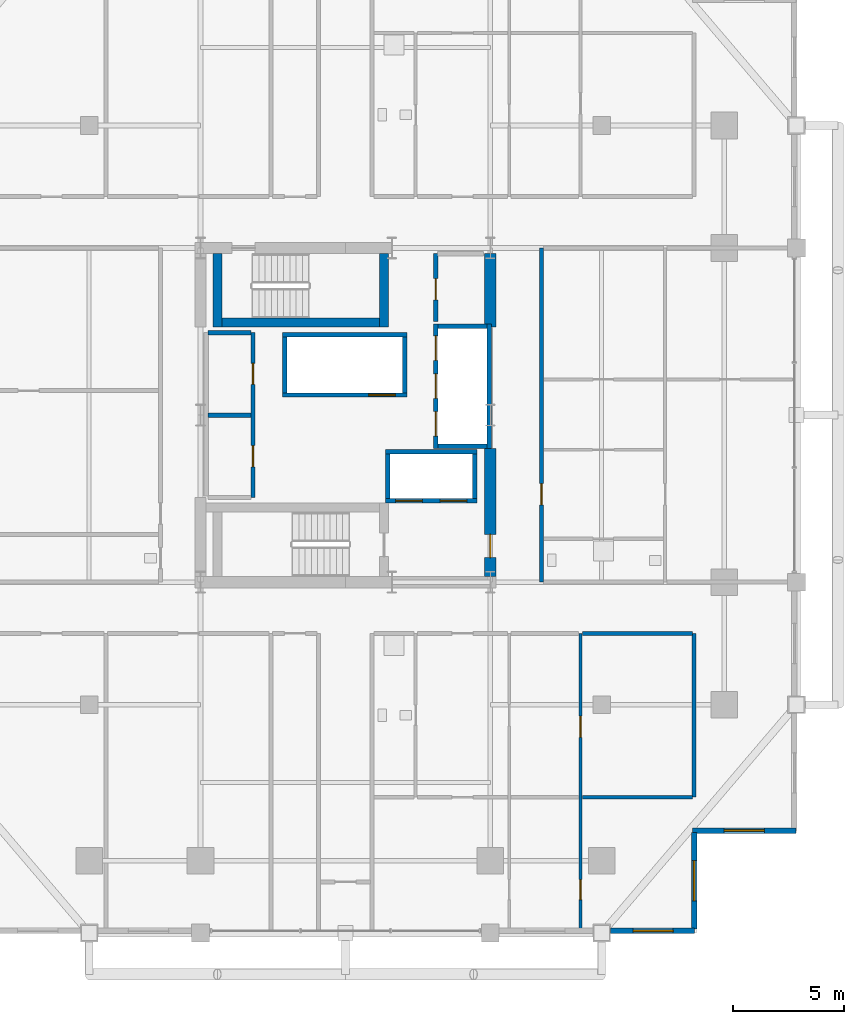
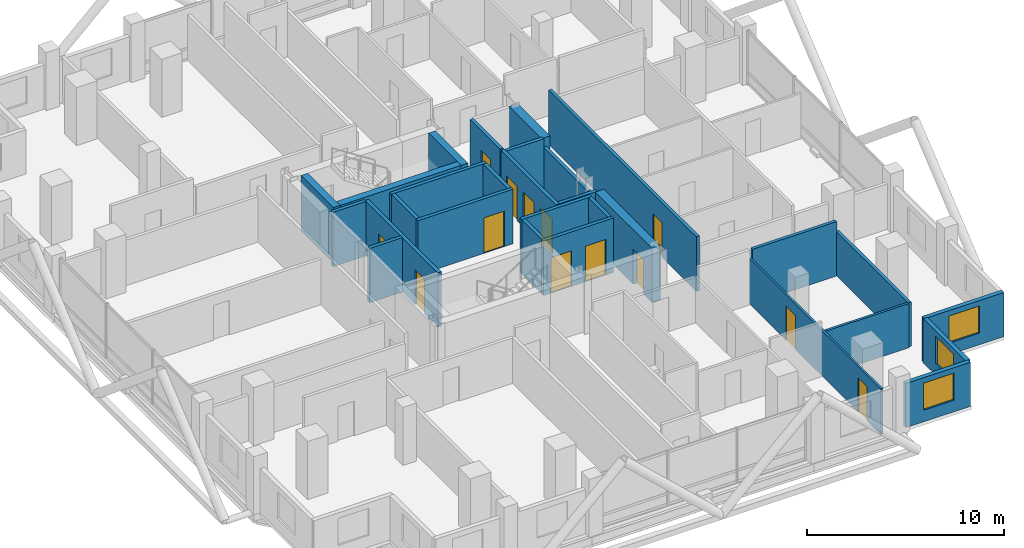
# One storey, part 20 of 24: 29 walls, 13 doors, 3 windows, 16 openings.
"""IFC4 building model written with IfcOpenShell, lengths in metres."""

from ifc_helpers import new_model, si_unit, direction, frame, frame_2d, origin, place, context, subcontext, project, spatial, rectangle, extrude, material, layer, layer_set, type_object, element, fill, save


model = new_model("IFC4")

# Units and contexts
model_context = context("Model", 3, precision=1e-05, world=origin(), true_north=direction((0.0, 1.0)))
body_context = subcontext(model_context, "Body", "Model", "MODEL_VIEW")
ifc_project = project(units=[si_unit("LENGTHUNIT", "METRE"), si_unit("AREAUNIT", "SQUARE_METRE"), si_unit("VOLUMEUNIT", "CUBIC_METRE"), si_unit("PLANEANGLEUNIT", "RADIAN"), si_unit("MASSUNIT", "GRAM", prefix="KILO")], contexts=[model_context])

# Site, building, storey
site_placement = place(None, origin())
site = spatial("IfcSite", under=ifc_project, at=site_placement, CompositionType="ELEMENT")
building_placement = place(site_placement, origin())
building = spatial("IfcBuilding", under=site, at=building_placement, Name="Barlavira Tower and Art Museum", CompositionType="ELEMENT")
storey_placement = place(building_placement, frame((0.0, 0.0, 154.800048828125)))
storey = spatial("IfcBuildingStorey", under=building, at=storey_placement, Name="L39", CompositionType="ELEMENT", Elevation=154.800048828125)

# Wall, openings, doors
ifc_material_1 = material(Name="Gypsum acoustic stud partition", Category="gypsum")
ifc_layer_1 = layer(ifc_material_1, 0.1201171875, Name="Gypsum acoustic stud partition")
ifc_layer_set_1 = layer_set([ifc_layer_1], Name="Gypsum acoustic stud partition")
wall_type_1 = type_object("IfcWallType", Name="Apartment Internal Acoustic Partition 120", PredefinedType="PARTITIONING", material=ifc_layer_set_1)
wall_1_placement = place(storey_placement, frame((10.550048828125, -23.14990234375, 0.0), z_axis=(0.0, 0.0, 1.0), x_axis=(0.0, 1.0, 0.0)))
wall_1 = element("IfcWall", 1, at=wall_1_placement, inside=storey, type_object=wall_type_1, Name="L39 Partition Wall 18", PredefinedType="PARTITIONING", context=body_context, shape_type="SweptSolid", body=[
    extrude(rectangle(XDim=13.349853515625, YDim=0.1201171875, at=frame_2d((6.6748046875, 0.0))), origin(), (0.0, 0.0, 1.0), 2.81591796875),
])
opening_1_placement = place(wall_1_placement, frame((8.686767578125, 0.0, 0.0)))
opening_1 = element("IfcOpeningElement", 2, at=opening_1_placement, cuts=wall_1, Name="Opening D-02", PredefinedType="OPENING", context=body_context, shape_type="SweptSolid", body=[
    extrude(rectangle(XDim=0.949951171875, YDim=2.10009765625, at=frame_2d((0.47509765625, 1.050048828125))), frame((0.0, 0.070068359375, 0.0), z_axis=(0.0, -1.0, 0.0), x_axis=(1.0, 0.0, 0.0)), (0.0, 0.0, 1.0), 0.14013671875),
])
opening_2_placement = place(wall_1_placement, frame((1.39892578125, 0.0, 0.0)))
opening_2 = element("IfcOpeningElement", 3, at=opening_2_placement, cuts=wall_1, Name="Opening D-01", PredefinedType="OPENING", context=body_context, shape_type="SweptSolid", body=[
    extrude(rectangle(XDim=0.89990234375, YDim=2.10009765625, at=frame_2d((0.449951171875, 1.050048828125))), frame((0.0, 0.070068359375, 0.0), z_axis=(0.0, -1.0, 0.0), x_axis=(1.0, 0.0, 0.0)), (0.0, 0.0, 1.0), 0.14013671875),
])
ifc_material_2 = material(Name="Engineered coastal hardwood", Category="wood")
door_type_1 = type_object("IfcDoorType", Name="Internal Bedroom Timber Flush Door 900x2100", OperationType="NOTDEFINED", PredefinedType="DOOR", material=ifc_material_2)
door_1_placement = place(opening_2_placement, origin())
door_1 = element("IfcDoor", 4, at=door_1_placement, inside=storey, type_object=door_type_1, Name="Apartment SE1 Bedroom 2 Door", OperationType="SINGLE_SWING_LEFT", OverallHeight=2.10009765625, OverallWidth=0.89990234375, PredefinedType="DOOR", context=body_context, shape_type="SweptSolid", body=[
    extrude(rectangle(XDim=0.89990234375, YDim=2.10009765625, at=frame_2d((0.449951171875, 1.050048828125))), frame((0.0, 0.02490234375, 0.0), z_axis=(0.0, -1.0, 0.0), x_axis=(1.0, 0.0, 0.0)), (0.0, 0.0, 1.0), 0.050048828125),
])
fill(opening_2, door_1)
door_type_2 = type_object("IfcDoorType", Name="Living and Salon Glazed-Leaf Door 950x2100", OperationType="NOTDEFINED", PredefinedType="DOOR", material=ifc_material_2)
door_2_placement = place(opening_1_placement, origin())
door_2 = element("IfcDoor", 5, at=door_2_placement, inside=storey, type_object=door_type_2, Name="Apartment SE1 Dining Salon Door", OperationType="SINGLE_SWING_RIGHT", OverallHeight=2.10009765625, OverallWidth=0.949951171875, PredefinedType="DOOR", context=body_context, shape_type="SweptSolid", body=[
    extrude(rectangle(XDim=0.949951171875, YDim=2.10009765625, at=frame_2d((0.47509765625, 1.050048828125))), frame((0.0, 0.02490234375, 0.0), z_axis=(0.0, -1.0, 0.0), x_axis=(1.0, 0.0, 0.0)), (0.0, 0.0, 1.0), 0.050048828125),
])
fill(opening_1, door_2)

# Wall, opening, door
ifc_material_3 = material(Name="Concrete C60", Category="concrete")
ifc_layer_2 = layer(ifc_material_3, 0.5, Name="Concrete C60")
ifc_layer_set_2 = layer_set([ifc_layer_2], Name="Concrete C60")
wall_type_2 = type_object("IfcWallType", Name="Core Structural Shear Wall 500 Concrete C60", PredefinedType="SHEAR", material=ifc_layer_set_2)
wall_2_placement = place(storey_placement, frame((6.5, -7.25, 0.0), z_axis=(0.0, 0.0, 1.0), x_axis=(0.0, 1.0, 0.0)))
wall_2 = element("IfcWall", 6, at=wall_2_placement, inside=storey, type_object=wall_type_2, Name="L39 Core Shear Wall CS-E1", PredefinedType="SHEAR", context=body_context, shape_type="SweptSolid", body=[
    extrude(rectangle(XDim=5.75, YDim=0.5, at=frame_2d((2.875, 0.0))), origin(), (0.0, 0.0, 1.0), 3.3798828125),
])
opening_3_placement = place(wall_2_placement, frame((0.85009765625, 0.0, 0.0)))
opening_3 = element("IfcOpeningElement", 7, at=opening_3_placement, cuts=wall_2, Name="Opening FD-90", PredefinedType="OPENING", context=body_context, shape_type="SweptSolid", body=[
    extrude(rectangle(XDim=1.050048828125, YDim=2.14990234375, at=frame_2d((0.52490234375, 1.074951171875))), frame((0.0, 0.260009765625, 0.0), z_axis=(0.0, -1.0, 0.0), x_axis=(1.0, 0.0, 0.0)), (0.0, 0.0, 1.0), 0.52001953125),
])
ifc_material_4 = material(Name="Brushed stainless steel", Category="steel")
door_type_3 = type_object("IfcDoorType", Name="Stair and Refuge Fire Door 1050x2150 FD90S", OperationType="NOTDEFINED", PredefinedType="DOOR", material=ifc_material_4)
door_3_placement = place(opening_3_placement, origin())
door_3 = element("IfcDoor", 8, at=door_3_placement, inside=storey, type_object=door_type_3, Name="L39 Firefighting Lobby Entry Fire Door", OperationType="SINGLE_SWING_LEFT", OverallHeight=2.14990234375, OverallWidth=1.050048828125, PredefinedType="DOOR", context=body_context, shape_type="SweptSolid", body=[
    extrude(rectangle(XDim=1.050048828125, YDim=2.14990234375, at=frame_2d((0.52490234375, 1.074951171875))), frame((0.0, 0.02490234375, 0.0), z_axis=(0.0, -1.0, 0.0), x_axis=(1.0, 0.0, 0.0)), (0.0, 0.0, 1.0), 0.050048828125),
])
fill(opening_3, door_3)

# Wall
wall_3_placement = place(storey_placement, frame((6.5, 3.949951171875, 0.0), z_axis=(0.0, 0.0, 1.0), x_axis=(0.0, 1.0, 0.0)))
element("IfcWall", 9, at=wall_3_placement, inside=storey, type_object=wall_type_2, Name="L39 Core Shear Wall CS-E2", PredefinedType="SHEAR", context=body_context, shape_type="SweptSolid", body=[
    extrude(rectangle(XDim=3.300048828125, YDim=0.5, at=frame_2d((1.64990234375, 0.0))), origin(), (0.0, 0.0, 1.0), 3.3798828125),
])

# Wall, openings, doors
ifc_material_5 = material(Name="Autoclaved aerated concrete masonry", Category="masonry")
ifc_layer_3 = layer(ifc_material_5, 0.199951171875, Name="Autoclaved aerated concrete masonry")
ifc_layer_set_3 = layer_set([ifc_layer_3], Name="Autoclaved aerated concrete masonry")
wall_type_3 = type_object("IfcWallType", Name="Fire Compartment and Shaft Wall 200", PredefinedType="SOLIDWALL", material=ifc_layer_set_3)
wall_4_placement = place(storey_placement, frame((4.050048828125, -1.489990234375, 0.0), z_axis=(0.0, 0.0, 1.0), x_axis=(0.0, 1.0, 0.0)))
wall_4 = element("IfcWall", 10, at=wall_4_placement, inside=storey, type_object=wall_type_3, Name="L39 Mid-Rise Lift Front Shaft Wall", PredefinedType="SOLIDWALL", context=body_context, shape_type="SweptSolid", body=[
    extrude(rectangle(XDim=5.580078125, YDim=0.199951171875, at=frame_2d((2.7900390625, 0.0))), origin(), (0.0, 0.0, 1.0), 3.3798828125),
])
opening_4_placement = place(wall_4_placement, frame((0.5400390625, 0.0, 0.0)))
opening_4 = element("IfcOpeningElement", 11, at=opening_4_placement, cuts=wall_4, Name="Opening LD-P", PredefinedType="OPENING", context=body_context, shape_type="SweptSolid", body=[
    extrude(rectangle(XDim=1.10009765625, YDim=2.14990234375, at=frame_2d((0.550048828125, 1.074951171875))), frame((0.0, 0.10986328125, 0.0), z_axis=(0.0, -1.0, 0.0), x_axis=(1.0, 0.0, 0.0)), (0.0, 0.0, 1.0), 0.219970703125),
])
opening_5_placement = place(wall_4_placement, frame((2.239990234375, 0.0, 0.0)))
opening_5 = element("IfcOpeningElement", 12, at=opening_5_placement, cuts=wall_4, Name="Opening LD-P", PredefinedType="OPENING", context=body_context, shape_type="SweptSolid", body=[
    extrude(rectangle(XDim=1.10009765625, YDim=2.14990234375, at=frame_2d((0.550048828125, 1.074951171875))), frame((0.0, 0.10986328125, 0.0), z_axis=(0.0, -1.0, 0.0), x_axis=(1.0, 0.0, 0.0)), (0.0, 0.0, 1.0), 0.219970703125),
])
opening_6_placement = place(wall_4_placement, frame((3.93994140625, 0.0, 0.0)))
opening_6 = element("IfcOpeningElement", 13, at=opening_6_placement, cuts=wall_4, Name="Opening LD-P", PredefinedType="OPENING", context=body_context, shape_type="SweptSolid", body=[
    extrude(rectangle(XDim=1.10009765625, YDim=2.14990234375, at=frame_2d((0.550048828125, 1.074951171875))), frame((0.0, 0.10986328125, 0.0), z_axis=(0.0, -1.0, 0.0), x_axis=(1.0, 0.0, 0.0)), (0.0, 0.0, 1.0), 0.219970703125),
])
door_type_4 = type_object("IfcDoorType", Name="Passenger Lift Sliding Landing Door 1100x2150 FD60", OperationType="NOTDEFINED", PredefinedType="DOOR", material=ifc_material_4)
door_4_placement = place(opening_4_placement, origin())
door_4 = element("IfcDoor", 14, at=door_4_placement, inside=storey, type_object=door_type_4, Name="L39 Lift PM1 Sliding Landing Door", OperationType="DOUBLE_DOOR_SLIDING", OverallHeight=2.14990234375, OverallWidth=1.10009765625, PredefinedType="DOOR", context=body_context, shape_type="SweptSolid", body=[
    extrude(rectangle(XDim=1.10009765625, YDim=2.14990234375, at=frame_2d((0.550048828125, 1.074951171875))), frame((0.0, 0.02490234375, 0.0), z_axis=(0.0, -1.0, 0.0), x_axis=(1.0, 0.0, 0.0)), (0.0, 0.0, 1.0), 0.050048828125),
])
fill(opening_4, door_4)
door_5_placement = place(opening_5_placement, origin())
door_5 = element("IfcDoor", 15, at=door_5_placement, inside=storey, type_object=door_type_4, Name="L39 Lift PM2 Sliding Landing Door", OperationType="DOUBLE_DOOR_SLIDING", OverallHeight=2.14990234375, OverallWidth=1.10009765625, PredefinedType="DOOR", context=body_context, shape_type="SweptSolid", body=[
    extrude(rectangle(XDim=1.10009765625, YDim=2.14990234375, at=frame_2d((0.550048828125, 1.074951171875))), frame((0.0, 0.02490234375, 0.0), z_axis=(0.0, -1.0, 0.0), x_axis=(1.0, 0.0, 0.0)), (0.0, 0.0, 1.0), 0.050048828125),
])
fill(opening_5, door_5)
door_6_placement = place(opening_6_placement, origin())
door_6 = element("IfcDoor", 16, at=door_6_placement, inside=storey, type_object=door_type_4, Name="L39 Lift PM3 Sliding Landing Door", OperationType="DOUBLE_DOOR_SLIDING", OverallHeight=2.14990234375, OverallWidth=1.10009765625, PredefinedType="DOOR", context=body_context, shape_type="SweptSolid", body=[
    extrude(rectangle(XDim=1.10009765625, YDim=2.14990234375, at=frame_2d((0.550048828125, 1.074951171875))), frame((0.0, 0.02490234375, 0.0), z_axis=(0.0, -1.0, 0.0), x_axis=(1.0, 0.0, 0.0)), (0.0, 0.0, 1.0), 0.050048828125),
])
fill(opening_6, door_6)

# Walls
wall_5_placement = place(storey_placement, frame((6.449951171875, -1.489990234375, 0.0), z_axis=(0.0, 0.0, 1.0), x_axis=(0.0, 1.0, 0.0)))
element("IfcWall", 17, at=wall_5_placement, inside=storey, type_object=wall_type_3, Name="L39 Mid-Rise Lift Back Shaft Wall", PredefinedType="SOLIDWALL", context=body_context, shape_type="SweptSolid", body=[
    extrude(rectangle(XDim=5.580078125, YDim=0.199951171875, at=frame_2d((2.7900390625, 0.0))), origin(), (0.0, 0.0, 1.0), 2.81591796875),
])
for number, where, z_axis, x_axis, name in (
    (18, (4.14990234375, -1.389892578125, 0.0), (0.0, 0.0, 1.0), (1.0, 0.0, 0.0), "L39 Mid-Rise Lift South Shaft Wall"),
    (19, (4.14990234375, 3.989990234375, 0.0), (0.0, 0.0, 1.0), (1.0, 0.0, 0.0), "L39 Mid-Rise Lift North Shaft Wall"),
):
    element("IfcWall", number, at=place(storey_placement, frame(where, z_axis=z_axis, x_axis=x_axis)), inside=storey, type_object=wall_type_3, Name=name, PredefinedType="SOLIDWALL", context=body_context, shape_type="SweptSolid", body=[
        extrude(rectangle(XDim=2.2001953125, YDim=0.199951171875, at=frame_2d((1.10009765625, 0.0))), origin(), (0.0, 0.0, 1.0), 3.3798828125),
    ])

# Wall, opening, door
wall_6_placement = place(storey_placement, frame((-2.820068359375, 0.89990234375, 0.0), z_axis=(0.0, 0.0, 1.0), x_axis=(1.0, 0.0, 0.0)))
wall_6 = element("IfcWall", 20, at=wall_6_placement, inside=storey, type_object=wall_type_3, Name="L39 High-Rise & Service Lift Front Wall", PredefinedType="SOLIDWALL", context=body_context, shape_type="SweptSolid", body=[
    extrude(rectangle(XDim=5.580078125, YDim=0.199951171875, at=frame_2d((2.7900390625, 0.0))), origin(), (0.0, 0.0, 1.0), 3.3798828125),
])
opening_7_placement = place(wall_6_placement, frame((3.860107421875, 0.0, 0.0)))
opening_7 = element("IfcOpeningElement", 21, at=opening_7_placement, cuts=wall_6, Name="Opening LD-F", PredefinedType="OPENING", context=body_context, shape_type="SweptSolid", body=[
    extrude(rectangle(XDim=1.199951171875, YDim=2.199951171875, at=frame_2d((0.60009765625, 1.10009765625))), frame((0.0, 0.10986328125, 0.0), z_axis=(0.0, -1.0, 0.0), x_axis=(1.0, 0.0, 0.0)), (0.0, 0.0, 1.0), 0.219970703125),
])
door_type_5 = type_object("IfcDoorType", Name="Firefighting and Service Lift Sliding Door 1200x2200 FD120", OperationType="NOTDEFINED", PredefinedType="DOOR", material=ifc_material_4)
door_7_placement = place(opening_7_placement, origin())
door_7 = element("IfcDoor", 22, at=door_7_placement, inside=storey, type_object=door_type_5, Name="L39 Stretcher Service Lift SL1 Sliding Door", OperationType="DOUBLE_DOOR_SLIDING", OverallHeight=2.199951171875, OverallWidth=1.199951171875, PredefinedType="DOOR", context=body_context, shape_type="SweptSolid", body=[
    extrude(rectangle(XDim=1.199951171875, YDim=2.199951171875, at=frame_2d((0.60009765625, 1.10009765625))), frame((0.0, 0.02490234375, 0.0), z_axis=(0.0, -1.0, 0.0), x_axis=(1.0, 0.0, 0.0)), (0.0, 0.0, 1.0), 0.050048828125),
])
fill(opening_7, door_7)

# Walls
wall_7_placement = place(storey_placement, frame((-2.820068359375, 3.60009765625, 0.0), z_axis=(0.0, 0.0, 1.0), x_axis=(1.0, 0.0, 0.0)))
element("IfcWall", 23, at=wall_7_placement, inside=storey, type_object=wall_type_3, Name="L39 High-Rise & Service Lift Back Wall", PredefinedType="SOLIDWALL", context=body_context, shape_type="SweptSolid", body=[
    extrude(rectangle(XDim=5.580078125, YDim=0.199951171875, at=frame_2d((2.7900390625, 0.0))), origin(), (0.0, 0.0, 1.0), 3.3798828125),
])
for number, where, z_axis, x_axis, name in (
    (24, (-2.719970703125, 1.0, 0.0), (0.0, 0.0, 1.0), (0.0, 1.0, 0.0), "L39 High-Rise & Service Lift West Wall"),
    (25, (2.659912109375, 1.0, 0.0), (0.0, 0.0, 1.0), (0.0, 1.0, 0.0), "L39 High-Rise & Service Lift East Wall"),
):
    element("IfcWall", number, at=place(storey_placement, frame(where, z_axis=z_axis, x_axis=x_axis)), inside=storey, type_object=wall_type_3, Name=name, PredefinedType="SOLIDWALL", context=body_context, shape_type="SweptSolid", body=[
        extrude(rectangle(XDim=2.5, YDim=0.199951171875, at=frame_2d((1.25, 0.0))), origin(), (0.0, 0.0, 1.0), 3.3798828125),
    ])

# Wall, openings, doors
wall_8_placement = place(storey_placement, frame((1.800048828125, -3.85009765625, 0.0), z_axis=(0.0, 0.0, 1.0), x_axis=(1.0, 0.0, 0.0)))
wall_8 = element("IfcWall", 26, at=wall_8_placement, inside=storey, type_object=wall_type_3, Name="L39 Firefighting Lift Front Shaft Wall", PredefinedType="SOLIDWALL", context=body_context, shape_type="SweptSolid", body=[
    extrude(rectangle(XDim=4.099853515625, YDim=0.199951171875, at=frame_2d((2.0498046875, 0.0))), origin(), (0.0, 0.0, 1.0), 3.3798828125),
])
opening_8_placement = place(wall_8_placement, frame((0.449951171875, 0.0, 0.0)))
opening_8 = element("IfcOpeningElement", 27, at=opening_8_placement, cuts=wall_8, Name="Opening LD-F", PredefinedType="OPENING", context=body_context, shape_type="SweptSolid", body=[
    extrude(rectangle(XDim=1.199951171875, YDim=2.199951171875, at=frame_2d((0.60009765625, 1.10009765625))), frame((0.0, 0.10986328125, 0.0), z_axis=(0.0, -1.0, 0.0), x_axis=(1.0, 0.0, 0.0)), (0.0, 0.0, 1.0), 0.219970703125),
])
opening_9_placement = place(wall_8_placement, frame((2.449951171875, 0.0, 0.0)))
opening_9 = element("IfcOpeningElement", 28, at=opening_9_placement, cuts=wall_8, Name="Opening LD-F", PredefinedType="OPENING", context=body_context, shape_type="SweptSolid", body=[
    extrude(rectangle(XDim=1.199951171875, YDim=2.199951171875, at=frame_2d((0.60009765625, 1.10009765625))), frame((0.0, 0.10986328125, 0.0), z_axis=(0.0, -1.0, 0.0), x_axis=(1.0, 0.0, 0.0)), (0.0, 0.0, 1.0), 0.219970703125),
])
door_8_placement = place(opening_8_placement, origin())
door_8 = element("IfcDoor", 29, at=door_8_placement, inside=storey, type_object=door_type_5, Name="L39 Firefighting Lift FF1 Sliding Door", OperationType="DOUBLE_DOOR_SLIDING", OverallHeight=2.199951171875, OverallWidth=1.199951171875, PredefinedType="DOOR", context=body_context, shape_type="SweptSolid", body=[
    extrude(rectangle(XDim=1.199951171875, YDim=2.199951171875, at=frame_2d((0.60009765625, 1.10009765625))), frame((0.0, 0.02490234375, 0.0), z_axis=(0.0, -1.0, 0.0), x_axis=(1.0, 0.0, 0.0)), (0.0, 0.0, 1.0), 0.050048828125),
])
fill(opening_8, door_8)
door_9_placement = place(opening_9_placement, origin())
door_9 = element("IfcDoor", 30, at=door_9_placement, inside=storey, type_object=door_type_5, Name="L39 Firefighting Lift FF2 Sliding Door", OperationType="DOUBLE_DOOR_SLIDING", OverallHeight=2.199951171875, OverallWidth=1.199951171875, PredefinedType="DOOR", context=body_context, shape_type="SweptSolid", body=[
    extrude(rectangle(XDim=1.199951171875, YDim=2.199951171875, at=frame_2d((0.60009765625, 1.10009765625))), frame((0.0, 0.02490234375, 0.0), z_axis=(0.0, -1.0, 0.0), x_axis=(1.0, 0.0, 0.0)), (0.0, 0.0, 1.0), 0.050048828125),
])
fill(opening_9, door_9)

# Walls
wall_9_placement = place(storey_placement, frame((1.800048828125, -1.64990234375, 0.0), z_axis=(0.0, 0.0, 1.0), x_axis=(1.0, 0.0, 0.0)))
element("IfcWall", 31, at=wall_9_placement, inside=storey, type_object=wall_type_3, Name="L39 Firefighting Lift Back Shaft Wall", PredefinedType="SOLIDWALL", context=body_context, shape_type="SweptSolid", body=[
    extrude(rectangle(XDim=4.099853515625, YDim=0.199951171875, at=frame_2d((2.0498046875, 0.0))), origin(), (0.0, 0.0, 1.0), 3.3798828125),
])
for number, where, z_axis, x_axis, name in (
    (32, (1.89990234375, -3.75, 0.0), (0.0, 0.0, 1.0), (0.0, 1.0, 0.0), "L39 Firefighting Lift West Shaft Wall"),
    (33, (5.800048828125, -3.75, 0.0), (0.0, 0.0, 1.0), (0.0, 1.0, 0.0), "L39 Firefighting Lift East Shaft Wall"),
):
    element("IfcWall", number, at=place(storey_placement, frame(where, z_axis=z_axis, x_axis=x_axis)), inside=storey, type_object=wall_type_3, Name=name, PredefinedType="SOLIDWALL", context=body_context, shape_type="SweptSolid", body=[
        extrude(rectangle(XDim=2.0, YDim=0.199951171875, at=frame_2d((1.0, 0.0))), origin(), (0.0, 0.0, 1.0), 3.3798828125),
    ])

# Wall, openings, doors
wall_10_placement = place(storey_placement, frame((-4.14990234375, -3.699951171875, 0.0), z_axis=(0.0, 0.0, 1.0), x_axis=(0.0, 1.0, 0.0)))
wall_10 = element("IfcWall", 34, at=wall_10_placement, inside=storey, type_object=wall_type_3, Name="L39 Partition Wall 5", PredefinedType="SOLIDWALL", context=body_context, shape_type="SweptSolid", body=[
    extrude(rectangle(XDim=7.39990234375, YDim=0.199951171875, at=frame_2d((3.699951171875, 0.0))), origin(), (0.0, 0.0, 1.0), 3.3798828125),
])
opening_10_placement = place(wall_10_placement, frame((1.375, 0.0, 0.0)))
opening_10 = element("IfcOpeningElement", 35, at=opening_10_placement, cuts=wall_10, Name="Opening FD-60", PredefinedType="OPENING", context=body_context, shape_type="SweptSolid", body=[
    extrude(rectangle(XDim=0.949951171875, YDim=2.14990234375, at=frame_2d((0.47509765625, 1.074951171875))), frame((0.0, 0.10986328125, 0.0), z_axis=(0.0, -1.0, 0.0), x_axis=(1.0, 0.0, 0.0)), (0.0, 0.0, 1.0), 0.219970703125),
])
opening_11_placement = place(wall_10_placement, frame((5.074951171875, 0.0, 0.0)))
opening_11 = element("IfcOpeningElement", 36, at=opening_11_placement, cuts=wall_10, Name="Opening FD-60", PredefinedType="OPENING", context=body_context, shape_type="SweptSolid", body=[
    extrude(rectangle(XDim=0.949951171875, YDim=2.14990234375, at=frame_2d((0.47509765625, 1.074951171875))), frame((0.0, 0.10986328125, 0.0), z_axis=(0.0, -1.0, 0.0), x_axis=(1.0, 0.0, 0.0)), (0.0, 0.0, 1.0), 0.219970703125),
])
door_type_6 = type_object("IfcDoorType", Name="Apartment Entrance and Riser Fire Door 950x2150 FD60S", OperationType="NOTDEFINED", PredefinedType="DOOR", material=ifc_material_4)
door_10_placement = place(opening_10_placement, origin())
door_10 = element("IfcDoor", 37, at=door_10_placement, inside=storey, type_object=door_type_6, Name="Reclaimed Core Linen and Amenity Store Door", OperationType="SINGLE_SWING_RIGHT", OverallHeight=2.14990234375, OverallWidth=0.949951171875, PredefinedType="DOOR", context=body_context, shape_type="SweptSolid", body=[
    extrude(rectangle(XDim=0.949951171875, YDim=2.14990234375, at=frame_2d((0.47509765625, 1.074951171875))), frame((0.0, 0.02490234375, 0.0), z_axis=(0.0, -1.0, 0.0), x_axis=(1.0, 0.0, 0.0)), (0.0, 0.0, 1.0), 0.050048828125),
])
fill(opening_10, door_10)
door_11_placement = place(opening_11_placement, origin())
door_11 = element("IfcDoor", 38, at=door_11_placement, inside=storey, type_object=door_type_6, Name="Reclaimed Core Telecom and BMS Room Door", OperationType="SINGLE_SWING_LEFT", OverallHeight=2.14990234375, OverallWidth=0.949951171875, PredefinedType="DOOR", context=body_context, shape_type="SweptSolid", body=[
    extrude(rectangle(XDim=0.949951171875, YDim=2.14990234375, at=frame_2d((0.47509765625, 1.074951171875))), frame((0.0, 0.02490234375, 0.0), z_axis=(0.0, -1.0, 0.0), x_axis=(1.0, 0.0, 0.0)), (0.0, 0.0, 1.0), 0.050048828125),
])
fill(opening_11, door_11)

# Wall, opening, door
wall_11_placement = place(storey_placement, frame((4.050048828125, 4.199951171875, 0.0), z_axis=(0.0, 0.0, 1.0), x_axis=(0.0, 1.0, 0.0)))
wall_11 = element("IfcWall", 39, at=wall_11_placement, inside=storey, type_object=wall_type_3, Name="L39 Partition Wall 14", PredefinedType="SOLIDWALL", context=body_context, shape_type="SweptSolid", body=[
    extrude(rectangle(XDim=3.050048828125, YDim=0.199951171875, at=frame_2d((1.52490234375, 0.0))), origin(), (0.0, 0.0, 1.0), 3.3798828125),
])
opening_12_placement = place(wall_11_placement, frame((0.97509765625, 0.0, 0.0)))
opening_12 = element("IfcOpeningElement", 40, at=opening_12_placement, cuts=wall_11, Name="Opening FD-60", PredefinedType="OPENING", context=body_context, shape_type="SweptSolid", body=[
    extrude(rectangle(XDim=0.949951171875, YDim=2.14990234375, at=frame_2d((0.47509765625, 1.074951171875))), frame((0.0, 0.10986328125, 0.0), z_axis=(0.0, -1.0, 0.0), x_axis=(1.0, 0.0, 0.0)), (0.0, 0.0, 1.0), 0.219970703125),
])
door_12_placement = place(opening_12_placement, origin())
door_12 = element("IfcDoor", 41, at=door_12_placement, inside=storey, type_object=door_type_6, Name="Combined Electrical and Telecom Plant Room Door", OperationType="SINGLE_SWING_RIGHT", OverallHeight=2.14990234375, OverallWidth=0.949951171875, PredefinedType="DOOR", context=body_context, shape_type="SweptSolid", body=[
    extrude(rectangle(XDim=0.949951171875, YDim=2.14990234375, at=frame_2d((0.47509765625, 1.074951171875))), frame((0.0, 0.02490234375, 0.0), z_axis=(0.0, -1.0, 0.0), x_axis=(1.0, 0.0, 0.0)), (0.0, 0.0, 1.0), 0.050048828125),
])
fill(opening_12, door_12)

# Walls
for number, where, z_axis, x_axis, name in (
    (42, (-6.169921875, 0.0, 0.0), (0.0, 0.0, 1.0), (1.0, 0.0, 0.0), "L39 Partition Wall 42"),
    (43, (-6.169921875, 3.699951171875, 0.0), (0.0, 0.0, 1.0), (1.0, 0.0, 0.0), "L39 Partition Wall 46"),
):
    element("IfcWall", number, at=place(storey_placement, frame(where, z_axis=z_axis, x_axis=x_axis)), inside=storey, type_object=wall_type_3, Name=name, PredefinedType="SOLIDWALL", context=body_context, shape_type="SweptSolid", body=[
        extrude(rectangle(XDim=1.93994140625, YDim=0.199951171875, at=frame_2d((0.969970703125, 0.0))), origin(), (0.0, 0.0, 1.0), 3.3798828125),
    ])

# Wall, opening, door
ifc_layer_4 = layer(ifc_material_1, 0.179931640625, Name="Gypsum acoustic stud partition")
ifc_layer_set_4 = layer_set([ifc_layer_4], Name="Gypsum acoustic stud partition")
wall_type_4 = type_object("IfcWallType", Name="Inter-Tenancy Party Partition Wall 180", PredefinedType="PARTITIONING", material=ifc_layer_set_4)
wall_12_placement = place(storey_placement, frame((8.800048828125, -7.5, 0.0), z_axis=(0.0, 0.0, 1.0), x_axis=(0.0, 1.0, 0.0)))
wall_12 = element("IfcWall", 44, at=wall_12_placement, inside=storey, type_object=wall_type_4, Name="L39 Partition Wall 17", PredefinedType="PARTITIONING", context=body_context, shape_type="SweptSolid", body=[
    extrude(rectangle(XDim=15.0, YDim=0.179931640625, at=frame_2d((7.5, 0.0))), origin(), (0.0, 0.0, 1.0), 3.3798828125),
])
opening_13_placement = place(wall_12_placement, frame((3.47509765625, 0.0, 0.0)))
opening_13 = element("IfcOpeningElement", 45, at=opening_13_placement, cuts=wall_12, Name="Opening FD-60", PredefinedType="OPENING", context=body_context, shape_type="SweptSolid", body=[
    extrude(rectangle(XDim=0.949951171875, YDim=2.14990234375, at=frame_2d((0.47509765625, 1.074951171875))), frame((0.0, 0.10009765625, 0.0), z_axis=(0.0, -1.0, 0.0), x_axis=(1.0, 0.0, 0.0)), (0.0, 0.0, 1.0), 0.199951171875),
])
door_13_placement = place(opening_13_placement, origin())
door_13 = element("IfcDoor", 46, at=door_13_placement, inside=storey, type_object=door_type_6, Name="Apartment Entrance Hall E1 Door", OperationType="SINGLE_SWING_LEFT", OverallHeight=2.14990234375, OverallWidth=0.949951171875, PredefinedType="DOOR", context=body_context, shape_type="SweptSolid", body=[
    extrude(rectangle(XDim=0.949951171875, YDim=2.14990234375, at=frame_2d((0.47509765625, 1.074951171875))), frame((0.0, 0.02490234375, 0.0), z_axis=(0.0, -1.0, 0.0), x_axis=(1.0, 0.0, 0.0)), (0.0, 0.0, 1.0), 0.050048828125),
])
fill(opening_13, door_13)

# Walls
wall_13_placement = place(storey_placement, frame((15.64990234375, -17.14990234375, 0.0), z_axis=(0.0, 0.0, 1.0), x_axis=(0.0, 1.0, 0.0)))
element("IfcWall", 47, at=wall_13_placement, inside=storey, type_object=wall_type_4, Name="L39 Partition Wall 21", PredefinedType="PARTITIONING", context=body_context, shape_type="SweptSolid", body=[
    extrude(rectangle(XDim=7.349853515625, YDim=0.179931640625, at=frame_2d((3.6748046875, 0.0))), origin(), (0.0, 0.0, 1.0), 2.73583984375),
])
wall_14_placement = place(storey_placement, frame((10.6298828125, -9.800048828125, 0.0), z_axis=(0.0, 0.0, 1.0), x_axis=(1.0, 0.0, 0.0)))
element("IfcWall", 48, at=wall_14_placement, inside=storey, type_object=wall_type_4, Name="L39 Partition Wall 34", PredefinedType="PARTITIONING", context=body_context, shape_type="SweptSolid", body=[
    extrude(rectangle(XDim=4.940185546875, YDim=0.179931640625, at=frame_2d((2.47021484375, 0.0))), origin(), (0.0, 0.0, 1.0), 3.3798828125),
])
ifc_layer_5 = layer(ifc_material_1, 0.139892578125, Name="Gypsum acoustic stud partition")
ifc_layer_set_5 = layer_set([ifc_layer_5], Name="Gypsum acoustic stud partition")
wall_type_5 = type_object("IfcWallType", Name="Moisture-Resistant Bathroom Partition 140", PredefinedType="PARTITIONING", material=ifc_layer_set_5)
wall_15_placement = place(storey_placement, frame((10.6298828125, -17.14990234375, 0.0), z_axis=(0.0, 0.0, 1.0), x_axis=(1.0, 0.0, 0.0)))
element("IfcWall", 49, at=wall_15_placement, inside=storey, type_object=wall_type_5, Name="L39 Partition Wall 27", PredefinedType="PARTITIONING", context=body_context, shape_type="SweptSolid", body=[
    extrude(rectangle(XDim=4.940185546875, YDim=0.139892578125, at=frame_2d((2.47021484375, 0.0))), origin(), (0.0, 0.0, 1.0), 2.73583984375),
])

# Wall, opening, window
ifc_material_6 = material(Name="Precast concrete C40", Category="concrete")
ifc_layer_6 = layer(ifc_material_6, 0.25, Name="Precast concrete C40")
ifc_layer_set_6 = layer_set([ifc_layer_6], Name="Precast concrete C40")
wall_type_6 = type_object("IfcWallType", Name="Notched Corner Spandrel Wall 250 Precast Concrete C40", PredefinedType="SOLIDWALL", material=ifc_layer_set_6)
wall_16_placement = place(storey_placement, frame((11.89501953125, -23.14990234375, 0.0), z_axis=(0.0, 0.0, 1.0), x_axis=(1.0, 0.0, 0.0)))
wall_16 = element("IfcWall", 50, at=wall_16_placement, inside=storey, type_object=wall_type_6, Name="L39 Coastal Facade Pier Wall CW2-L39-S-5", PredefinedType="SOLIDWALL", context=body_context, shape_type="SweptSolid", body=[
    extrude(rectangle(XDim=3.780029296875, YDim=0.25, at=frame_2d((1.89013671875, 0.0))), origin(), (0.0, 0.0, 1.0), 2.73583984375),
])
opening_14_placement = place(wall_16_placement, frame((1.012939453125, 0.0, 0.719970703125)))
opening_14 = element("IfcOpeningElement", 51, at=opening_14_placement, cuts=wall_16, Name="Opening WN-01", PredefinedType="OPENING", context=body_context, shape_type="SweptSolid", body=[
    extrude(rectangle(XDim=1.800048828125, YDim=1.679931640625, at=frame_2d((0.89990234375, 0.83984375))), frame((0.0, 0.135009765625, 0.0), z_axis=(0.0, -1.0, 0.0), x_axis=(1.0, 0.0, 0.0)), (0.0, 0.0, 1.0), 0.27001953125),
])
ifc_material_7 = material(Name="Low-iron coastal laminated glass", Category="glass")
window_type = type_object("IfcWindowType", Name="Recessed Notch Corner Punch Window 1800x1680", PartitioningType="SINGLE_PANEL", PredefinedType="WINDOW", material=ifc_material_7)
window_1_placement = place(opening_14_placement, origin())
window_1 = element("IfcWindow", 52, at=window_1_placement, inside=storey, type_object=window_type, Name="L39 Punched Facade Window EWP-CW2-L39-S-5-1", OverallHeight=1.679931640625, OverallWidth=1.800048828125, PartitioningType="SINGLE_PANEL", PredefinedType="WINDOW", context=body_context, shape_type="SweptSolid", body=[
    extrude(rectangle(XDim=1.800048828125, YDim=1.679931640625, at=frame_2d((0.89990234375, 0.83984375))), frame((0.0, 0.030029296875, 0.0), z_axis=(0.0, -1.0, 0.0), x_axis=(1.0, 0.0, 0.0)), (0.0, 0.0, 1.0), 0.06005859375),
])
fill(opening_14, window_1)

wall_17_placement = place(storey_placement, frame((15.64990234375, -23.070068359375, 0.0), z_axis=(0.0, 0.0, 1.0), x_axis=(0.0, 1.0, 0.0)))
wall_17 = element("IfcWall", 53, at=wall_17_placement, inside=storey, type_object=wall_type_6, Name="L39 Notch Corner Wall SE1", PredefinedType="SOLIDWALL", context=body_context, shape_type="SweptSolid", body=[
    extrude(rectangle(XDim=4.340087890625, YDim=0.25, at=frame_2d((2.169921875, 0.0))), origin(), (0.0, 0.0, 1.0), 2.73583984375),
])
opening_15_placement = place(wall_17_placement, frame((1.27001953125, 0.0, 0.719970703125)))
opening_15 = element("IfcOpeningElement", 54, at=opening_15_placement, cuts=wall_17, Name="Opening WN-01", PredefinedType="OPENING", context=body_context, shape_type="SweptSolid", body=[
    extrude(rectangle(XDim=1.800048828125, YDim=1.679931640625, at=frame_2d((0.89990234375, 0.83984375))), frame((0.0, 0.135009765625, 0.0), z_axis=(0.0, -1.0, 0.0), x_axis=(1.0, 0.0, 0.0)), (0.0, 0.0, 1.0), 0.27001953125),
])
window_2_placement = place(opening_15_placement, origin())
window_2 = element("IfcWindow", 55, at=window_2_placement, inside=storey, type_object=window_type, Name="L39 Punched Facade Window EW-NTC-L39-SE1-1", OverallHeight=1.679931640625, OverallWidth=1.800048828125, PartitioningType="SINGLE_PANEL", PredefinedType="WINDOW", context=body_context, shape_type="SweptSolid", body=[
    extrude(rectangle(XDim=1.800048828125, YDim=1.679931640625, at=frame_2d((0.89990234375, 0.83984375))), frame((0.0, 0.030029296875, 0.0), z_axis=(0.0, -1.0, 0.0), x_axis=(1.0, 0.0, 0.0)), (0.0, 0.0, 1.0), 0.06005859375),
])
fill(opening_15, window_2)

wall_18_placement = place(storey_placement, frame((15.570068359375, -18.64990234375, 0.0), z_axis=(0.0, 0.0, 1.0), x_axis=(1.0, 0.0, 0.0)))
wall_18 = element("IfcWall", 56, at=wall_18_placement, inside=storey, type_object=wall_type_6, Name="L39 Notch Corner Wall SE2", PredefinedType="SOLIDWALL", context=body_context, shape_type="SweptSolid", body=[
    extrude(rectangle(XDim=4.659912109375, YDim=0.25, at=frame_2d((2.330078125, 0.0))), origin(), (0.0, 0.0, 1.0), 2.73583984375),
])
opening_16_placement = place(wall_18_placement, frame((1.429931640625, 0.0, 0.719970703125)))
opening_16 = element("IfcOpeningElement", 57, at=opening_16_placement, cuts=wall_18, Name="Opening WN-01", PredefinedType="OPENING", context=body_context, shape_type="SweptSolid", body=[
    extrude(rectangle(XDim=1.800048828125, YDim=1.679931640625, at=frame_2d((0.89990234375, 0.83984375))), frame((0.0, 0.135009765625, 0.0), z_axis=(0.0, -1.0, 0.0), x_axis=(1.0, 0.0, 0.0)), (0.0, 0.0, 1.0), 0.27001953125),
])
window_3_placement = place(opening_16_placement, origin())
window_3 = element("IfcWindow", 58, at=window_3_placement, inside=storey, type_object=window_type, Name="L39 Punched Facade Window EW-NTC-L39-SE2-1", OverallHeight=1.679931640625, OverallWidth=1.800048828125, PartitioningType="SINGLE_PANEL", PredefinedType="WINDOW", context=body_context, shape_type="SweptSolid", body=[
    extrude(rectangle(XDim=1.800048828125, YDim=1.679931640625, at=frame_2d((0.89990234375, 0.83984375))), frame((0.0, 0.030029296875, 0.0), z_axis=(0.0, -1.0, 0.0), x_axis=(1.0, 0.0, 0.0)), (0.0, 0.0, 1.0), 0.06005859375),
])
fill(opening_16, window_3)

# Walls
ifc_material_8 = material(Name="Concrete C55", Category="concrete")
ifc_layer_7 = layer(ifc_material_8, 0.39990234375, Name="Concrete C55")
ifc_layer_set_7 = layer_set([ifc_layer_7], Name="Concrete C55")
wall_type_7 = type_object("IfcWallType", Name="Upper Core Shear Wall 400 Concrete C55", PredefinedType="SHEAR", material=ifc_layer_set_7)
wall_19_placement = place(storey_placement, frame((-5.550048828125, 4.14990234375, 0.0), z_axis=(0.0, 0.0, 1.0), x_axis=(1.0, 0.0, 0.0)))
element("IfcWall", 59, at=wall_19_placement, inside=storey, type_object=wall_type_7, Name="L39 ST-T2 South Shaft Wall", PredefinedType="SHEAR", context=body_context, shape_type="SweptSolid", body=[
    extrude(rectangle(XDim=7.080078125, YDim=0.39990234375, at=frame_2d((3.5400390625, 0.0))), origin(), (0.0, 0.0, 1.0), 3.3798828125),
])
for number, where, z_axis, x_axis, name in (
    (60, (1.72998046875, 3.949951171875, 0.0), (0.0, 0.0, 1.0), (0.0, 1.0, 0.0), "L39 ST-T2 East Half-Landing Wall"),
    (61, (-5.75, 3.949951171875, 0.0), (0.0, 0.0, 1.0), (0.0, 1.0, 0.0), "L39 ST-T2 West Shaft Wall"),
):
    element("IfcWall", number, at=place(storey_placement, frame(where, z_axis=z_axis, x_axis=x_axis)), inside=storey, type_object=wall_type_7, Name=name, PredefinedType="SHEAR", context=body_context, shape_type="SweptSolid", body=[
        extrude(rectangle(XDim=3.300048828125, YDim=0.39990234375, at=frame_2d((1.64990234375, 0.0))), origin(), (0.0, 0.0, 1.0), 3.3798828125),
    ])

save(model, "model.ifc")
